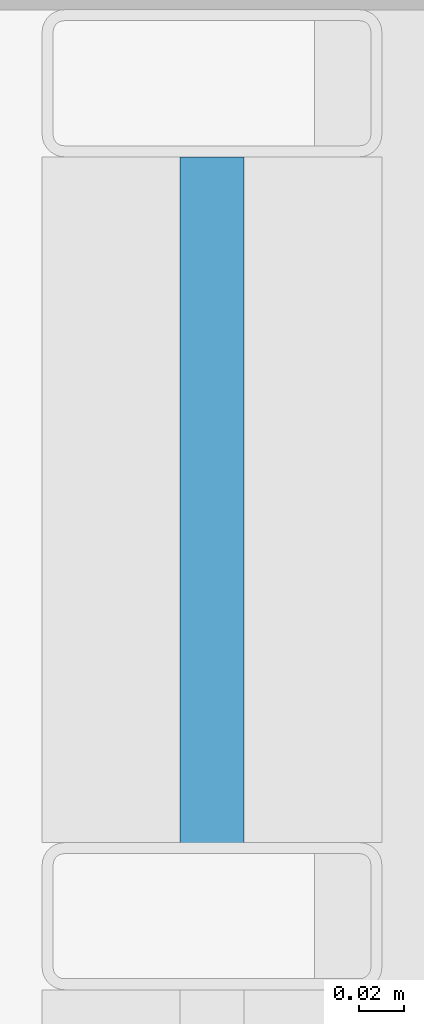
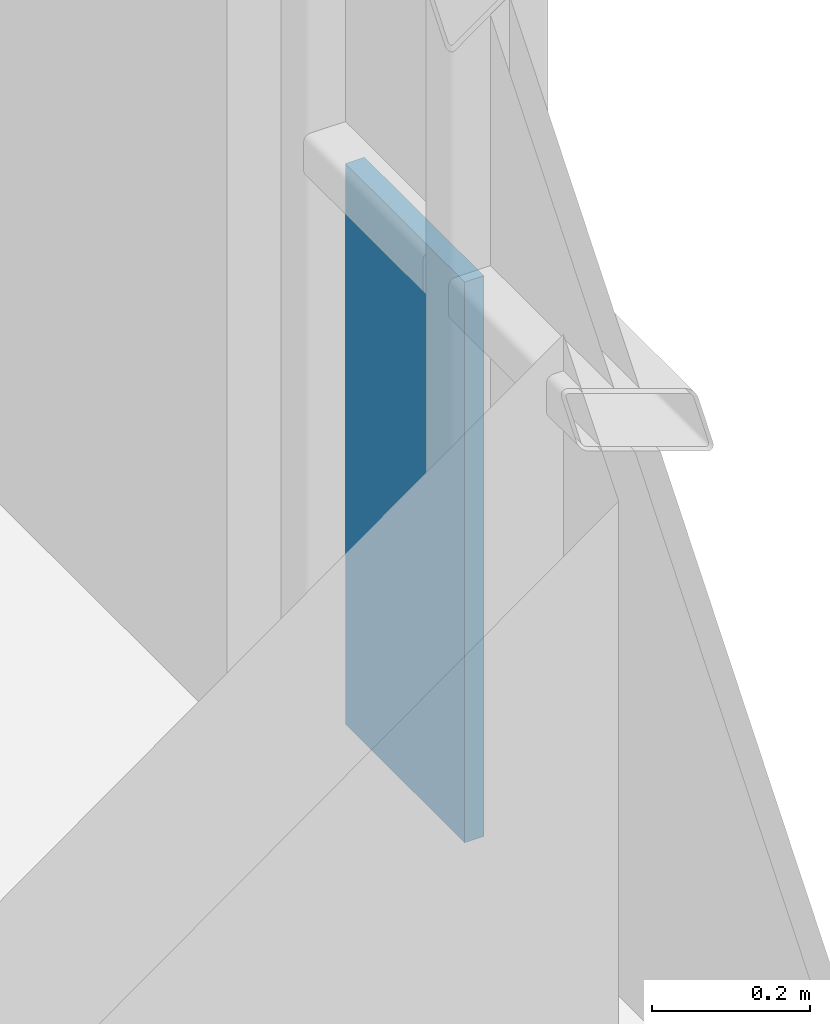
# One storey, part 32 of 41: 1 plate, 1 element without a shape of its own.
"""IFC4 building model written with IfcOpenShell, lengths in metres."""

from ifc_helpers import new_model, si_unit, direction, frame, origin, origin_2d, place, context, subcontext, project, spatial, rectangle, extrude, material, layer, layer_set, type_object, element, aggregate, save


model = new_model("IFC4")

# Units and contexts
model_context = context("Model", 3, precision=1e-05, world=origin(), true_north=direction((0.0, 1.0)))
body_context = subcontext(model_context, "Body", "Model", "MODEL_VIEW")
ifc_project = project(units=[si_unit("LENGTHUNIT", "METRE"), si_unit("AREAUNIT", "SQUARE_METRE"), si_unit("VOLUMEUNIT", "CUBIC_METRE"), si_unit("PLANEANGLEUNIT", "RADIAN"), si_unit("MASSUNIT", "GRAM", prefix="KILO")], contexts=[model_context])

# Site, building, storey
site_placement = place(None, origin())
site = spatial("IfcSite", under=ifc_project, at=site_placement, CompositionType="ELEMENT")
building_placement = place(site_placement, origin())
building = spatial("IfcBuilding", under=site, at=building_placement, Name="Brevholm Reach", CompositionType="ELEMENT")
storey_placement = place(building_placement, frame((0.0, 0.0, 157.300048828125)))
storey = spatial("IfcBuildingStorey", under=building, at=storey_placement, Name="L47", CompositionType="ELEMENT", Elevation=157.300048828125)

# Curtain wall, plate
ifc_material_1 = material(Name="Dark Anodised Aluminium 6063-T6 and Solar-Control Glass", Category="aluminium")
ifc_layer_1 = layer(ifc_material_1, 0.14990234375)
ifc_layer_set_1 = layer_set([ifc_layer_1], Name="Dark Anodised Aluminium 6063-T6 and Solar-Control Glass")
curtain_wall_type = type_object("IfcCurtainWallType", Name="CW-01", PredefinedType="NOTDEFINED", material=ifc_layer_set_1)
curtain_wall_placement = place(storey_placement, origin())
curtain_wall = element("IfcCurtainWall", 1, at=curtain_wall_placement, inside=storey, type_object=curtain_wall_type, Name="L47 Curtain Wall CW-01", PredefinedType="NOTDEFINED")
ifc_material_2 = material(Name="Dark Solar-Control Double-Glazed IGU Glass", Category="glass")
ifc_layer_2 = layer(ifc_material_2, 0.028076171875)
ifc_layer_set_2 = layer_set([ifc_layer_2], Name="Dark Solar-Control Double-Glazed IGU Glass")
plate_type = type_object("IfcPlateType", Name="CWP-GLZ-28", PredefinedType="CURTAIN_PANEL", material=ifc_layer_set_2)
plate_placement = place(storey_placement, frame((59.85009765625, 22.733642578125, 0.0), z_axis=(0.0, 0.0, 1.0), x_axis=(0.0, 1.0, 0.0)))
plate = element("IfcPlate", 2, at=plate_placement, type_object=plate_type, Name="CP-01 Glazing Panel 5.1", PredefinedType="CURTAIN_PANEL", context=body_context, shape_type="SweptSolid", body=[
    extrude(rectangle(XDim=0.302490234375, YDim=0.028076171875, at=origin_2d()), origin(), (0.0, 0.0, 1.0), 0.867431640625),
])
aggregate(curtain_wall, [plate])

save(model, "model.ifc")
